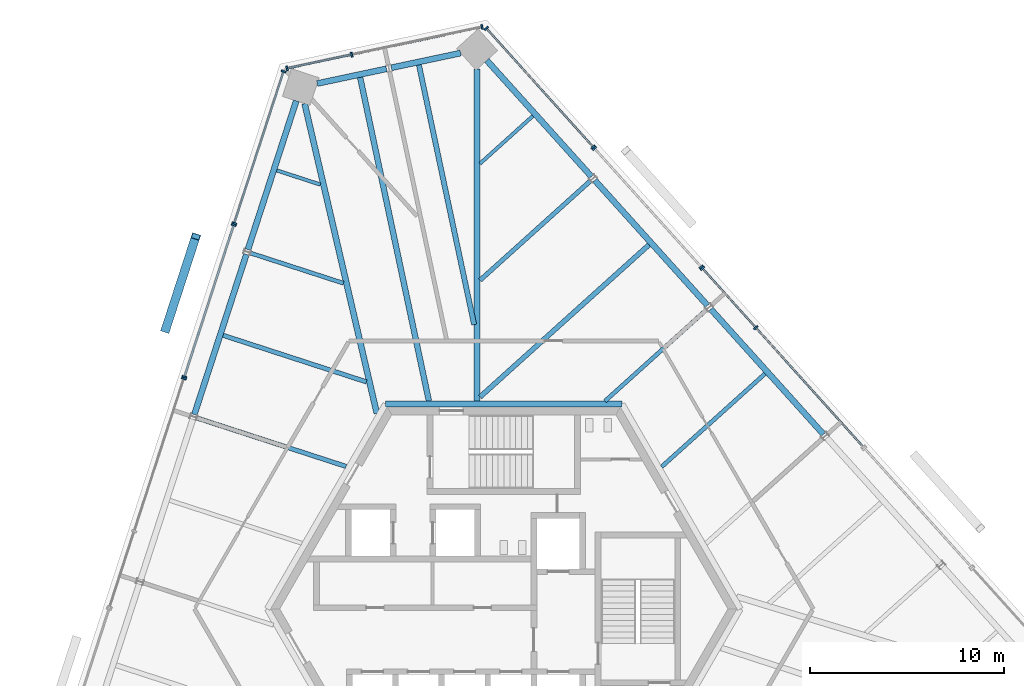
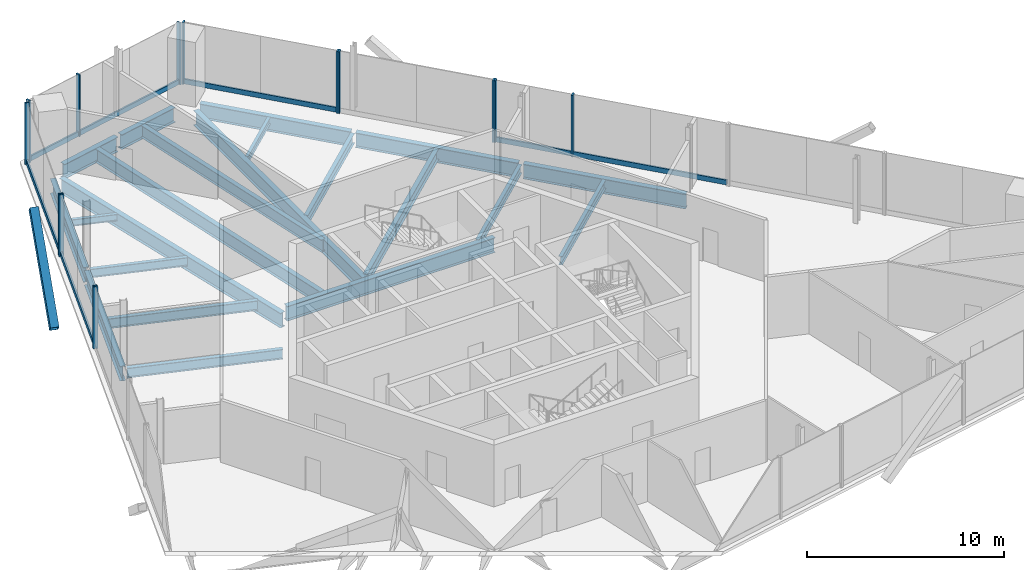
# One storey, part 7 of 14: 22 members, 21 beams, 7 elements without a shape of their own.
"""IFC4 building model written with IfcOpenShell, lengths in metres."""

from ifc_helpers import new_model, si_unit, direction, frame, origin, origin_2d, place, context, subcontext, project, spatial, rectangle, hollow_rectangle, i_section, extrude, source, transform, mapped, material, material_profile, profile_set, type_object, element, aggregate, save


model = new_model("IFC4")

# Units and contexts
model_context = context("Model", 3, precision=1e-05, world=origin(), true_north=direction((0.0, 1.0)))
body_context = subcontext(model_context, "Body", "Model", "MODEL_VIEW")
ifc_project = project(units=[si_unit("LENGTHUNIT", "METRE"), si_unit("AREAUNIT", "SQUARE_METRE"), si_unit("VOLUMEUNIT", "CUBIC_METRE"), si_unit("PLANEANGLEUNIT", "RADIAN"), si_unit("MASSUNIT", "GRAM", prefix="KILO")], contexts=[model_context])

# Site, building, storey
site_placement = place(None, origin())
site = spatial("IfcSite", under=ifc_project, at=site_placement, CompositionType="ELEMENT")
building_placement = place(site_placement, origin())
building = spatial("IfcBuilding", under=site, at=building_placement, Name="Triune Harvest Tower", CompositionType="ELEMENT")
storey_placement = place(building_placement, frame((0.0, 0.0, 284.699951171875)))
storey = spatial("IfcBuildingStorey", under=building, at=storey_placement, Name="L75", CompositionType="ELEMENT", Elevation=284.699951171875)

# Beams
ifc_material_1 = material(Name="Steel ASTM A992 Gr 50", Category="steel")
ifc_material_profile_1 = material_profile(ifc_material_1, i_section(OverallWidth=0.3046875, OverallDepth=0.914306640625, WebThickness=0.0166015625, FlangeThickness=0.02587890625, at=origin_2d()), Name="W36x160")
ifc_profile_set_1 = profile_set([ifc_material_profile_1], Name="Steel ASTM A992 Gr 50")
beam_type_1 = type_object("IfcBeamType", Name="CG-1 Core ring girder W36x160", PredefinedType="BEAM", material=ifc_profile_set_1)
shared_shape_1 = source(origin(), body_context, "Body", "SweptSolid", [
    extrude(i_section(OverallWidth=0.3046875, OverallDepth=0.914306640625, WebThickness=0.0166015625, FlangeThickness=0.02587890625, at=origin_2d()), origin(), (0.0, 0.0, 1.0), 12.17578125),
])
beam_1_placement = place(storey_placement, frame((6.087890625, 10.544677734375, -0.63720703125), z_axis=(-1.0, 0.0, 0.0), x_axis=(0.0, -1.0, 0.0)))
element("IfcBeam", 1, at=beam_1_placement, inside=storey, type_object=beam_type_1, Name="beam/L75/CG2", PredefinedType="BEAM", context=body_context, shape_type="MappedRepresentation", body=[
    mapped(shared_shape_1, transform((0.0, 0.0, 0.0), scale=1.0)),
])
ifc_material_2 = material(Name="Steel ASTM A992 Gr 50", Category="steel")
ifc_material_profile_2 = material_profile(ifc_material_2, i_section(OverallWidth=0.3046875, OverallDepth=0.914306640625, WebThickness=0.0166015625, FlangeThickness=0.02587890625, at=origin_2d()), Name="W36x160")
ifc_profile_set_2 = profile_set([ifc_material_profile_2], Name="Steel ASTM A992 Gr 50")
beam_type_2 = type_object("IfcBeamType", Name="SB-1 Spandrel beam W36x160", PredefinedType="SPANDREL", material=ifc_profile_set_2)
shared_shape_2 = source(origin(), body_context, "Body", "SweptSolid", [
    extrude(i_section(OverallWidth=0.3046875, OverallDepth=0.914306640625, WebThickness=0.0166015625, FlangeThickness=0.02587890625, at=origin_2d()), origin(), (0.0, 0.0, 1.0), 8.0498046875),
])
for number, where, z_axis, x_axis, name in (
    (2, (4.511474609375, 22.25537109375, -0.63720703125), (-0.669152382485, 0.743125217588, 0.0), (-0.743125217588, -0.669152382485, 0.0), "beam/L75/SB5"),
    (3, (-10.685791015625, 26.152099609375, -0.63720703125), (-0.30902160762, -0.951055017348, 0.0), (0.951055017348, -0.30902160762, 0.0), "beam/L75/SB8"),
):
    element("IfcBeam", number, at=place(storey_placement, frame(where, z_axis=z_axis, x_axis=x_axis)), inside=storey, type_object=beam_type_2, Name=name, PredefinedType="SPANDREL", context=body_context, shape_type="MappedRepresentation", body=[
        mapped(shared_shape_2, transform((0.0, 0.0, 0.0), scale=1.0)),
    ])
shared_shape_3 = source(origin(), body_context, "Body", "SweptSolid", [
    extrude(i_section(OverallWidth=0.3046875, OverallDepth=0.914306640625, WebThickness=0.0166015625, FlangeThickness=0.02587890625, at=origin_2d()), origin(), (0.0, 0.0, 1.0), 8.671630859375),
])
beam_2_placement = place(storey_placement, frame((16.45947265625, 8.985595703125, -0.63720703125), z_axis=(-0.669129593336, 0.743145737606, 0.0), x_axis=(-0.743145737606, -0.669129593336, 0.0)))
element("IfcBeam", 4, at=beam_2_placement, inside=storey, type_object=beam_type_2, Name="beam/L75/SB3", PredefinedType="SPANDREL", context=body_context, shape_type="MappedRepresentation", body=[
    mapped(shared_shape_3, transform((0.0, 0.0, 0.0), scale=1.0)),
])
shared_shape_4 = source(origin(), body_context, "Body", "SweptSolid", [
    extrude(i_section(OverallWidth=0.3046875, OverallDepth=0.914306640625, WebThickness=0.0166015625, FlangeThickness=0.02587890625, at=origin_2d()), origin(), (0.0, 0.0, 1.0), 8.67138671875),
])
for number, where, z_axis, x_axis, name in (
    (5, (10.4853515625, 15.62060546875, -0.63720703125), (-0.669128044683, 0.743147132013, 0.0), (-0.743147132013, -0.669128044683, 0.0), "beam/L75/SB4"),
    (6, (-13.252685546875, 18.25244140625, -0.63720703125), (-0.309022409974, -0.951054756643, 0.0), (0.951054756643, -0.309022409974, 0.0), "beam/L75/SB9"),
):
    element("IfcBeam", number, at=place(storey_placement, frame(where, z_axis=z_axis, x_axis=x_axis)), inside=storey, type_object=beam_type_2, Name=name, PredefinedType="SPANDREL", context=body_context, shape_type="MappedRepresentation", body=[
        mapped(shared_shape_4, transform((0.0, 0.0, 0.0), scale=1.0)),
    ])
shared_shape_5 = source(origin(), body_context, "Body", "SweptSolid", [
    extrude(i_section(OverallWidth=0.3046875, OverallDepth=0.914306640625, WebThickness=0.0166015625, FlangeThickness=0.02587890625, at=origin_2d()), origin(), (0.0, 0.0, 1.0), 3.645751953125),
])
beam_3_placement = place(storey_placement, frame((-2.223876953125, 28.61474609375, -0.63720703125), z_axis=(-0.978145063506, -0.207923627178, 0.0), x_axis=(0.207923627178, -0.978145063506, 0.0)))
element("IfcBeam", 7, at=beam_3_placement, inside=storey, type_object=beam_type_2, Name="beam/L75/SB6", PredefinedType="SPANDREL", context=body_context, shape_type="MappedRepresentation", body=[
    mapped(shared_shape_5, transform((0.0, 0.0, 0.0), scale=1.0)),
])
shared_shape_6 = source(origin(), body_context, "Body", "SweptSolid", [
    extrude(i_section(OverallWidth=0.3046875, OverallDepth=0.914306640625, WebThickness=0.0166015625, FlangeThickness=0.02587890625, at=origin_2d()), origin(), (0.0, 0.0, 1.0), 3.6455078125),
])
beam_4_placement = place(storey_placement, frame((-6.041015625, 27.803466796875, -0.63720703125), z_axis=(-0.978142168213, -0.207937247179, 0.0), x_axis=(0.207937247179, -0.978142168213, 0.0)))
element("IfcBeam", 8, at=beam_4_placement, inside=storey, type_object=beam_type_2, Name="beam/L75/SB7", PredefinedType="SPANDREL", context=body_context, shape_type="MappedRepresentation", body=[
    mapped(shared_shape_6, transform((0.0, 0.0, 0.0), scale=1.0)),
])
ifc_material_3 = material(Name="Steel ASTM A992 Gr 50", Category="steel")
ifc_material_profile_3 = material_profile(ifc_material_3, i_section(OverallWidth=0.3046875, OverallDepth=0.914306640625, WebThickness=0.0166015625, FlangeThickness=0.02587890625, at=origin_2d()), Name="W36x160")
ifc_profile_set_3 = profile_set([ifc_material_profile_3], Name="Steel ASTM A992 Gr 50")
beam_type_3 = type_object("IfcBeamType", Name="HG-3 Hip girder W36x160", PredefinedType="BEAM", material=ifc_profile_set_3)
shared_shape_7 = source(origin(), body_context, "Body", "SweptSolid", [
    extrude(i_section(OverallWidth=0.3046875, OverallDepth=0.914306640625, WebThickness=0.0166015625, FlangeThickness=0.02587890625, at=origin_2d()), origin(), (0.0, 0.0, 1.0), 17.088623046875),
])
beam_5_placement = place(storey_placement, frame((-1.376708984375, 27.78564453125, -0.63720703125), z_axis=(0.0, -1.0, 0.0), x_axis=(1.0, 0.0, 0.0)))
element("IfcBeam", 9, at=beam_5_placement, inside=storey, type_object=beam_type_3, Name="beam/L75/HG2", PredefinedType="BEAM", context=body_context, shape_type="MappedRepresentation", body=[
    mapped(shared_shape_7, transform((0.0, 0.0, 0.0), scale=1.0)),
])
shared_shape_8 = source(origin(), body_context, "Body", "SweptSolid", [
    extrude(i_section(OverallWidth=0.3046875, OverallDepth=0.914306640625, WebThickness=0.0166015625, FlangeThickness=0.02587890625, at=origin_2d()), origin(), (0.0, 0.0, 1.0), 16.37060546875),
])
beam_6_placement = place(storey_placement, frame((-10.255126953125, 26.01220703125, -0.63720703125), z_axis=(0.227026417792, -0.973888600213, 0.0), x_axis=(0.973888600213, 0.227026417792, 0.0)))
element("IfcBeam", 10, at=beam_6_placement, inside=storey, type_object=beam_type_3, Name="beam/L75/HG3", PredefinedType="BEAM", context=body_context, shape_type="MappedRepresentation", body=[
    mapped(shared_shape_8, transform((0.0, 0.0, 0.0), scale=1.0)),
])
ifc_material_4 = material(Name="Steel ASTM A992 Gr 50", Category="steel")
ifc_material_profile_4 = material_profile(ifc_material_4, i_section(OverallWidth=0.22900390625, OverallDepth=0.612060546875, WebThickness=0.011962890625, FlangeThickness=0.01953125, at=origin_2d()), Name="W24x84")
ifc_profile_set_4 = profile_set([ifc_material_profile_4], Name="Steel ASTM A992 Gr 50")
beam_type_4 = type_object("IfcBeamType", Name="JT-3 Floor joist W24x84", PredefinedType="JOIST", material=ifc_profile_set_4)
shared_shape_9 = source(origin(), body_context, "Body", "SweptSolid", [
    extrude(i_section(OverallWidth=0.22900390625, OverallDepth=0.612060546875, WebThickness=0.011962890625, FlangeThickness=0.01953125, at=origin_2d()), origin(), (0.0, 0.0, 1.0), 7.755126953125),
])
beam_7_placement = place(storey_placement, frame((-14.447509765625, 14.081787109375, -0.486083984375), z_axis=(0.951054888115, -0.309022005354, 0.0), x_axis=(0.309022005354, 0.951054888115, 0.0)))
element("IfcBeam", 11, at=beam_7_placement, inside=storey, type_object=beam_type_4, Name="beam/L75/JT14", PredefinedType="JOIST", context=body_context, shape_type="MappedRepresentation", body=[
    mapped(shared_shape_9, transform((0.0, 0.0, 0.0), scale=1.0)),
])
ifc_material_5 = material(Name="Steel ASTM A992 Gr 50", Category="steel")
ifc_material_profile_5 = material_profile(ifc_material_5, i_section(OverallWidth=0.2099609375, OverallDepth=0.535888671875, WebThickness=0.010986328125, FlangeThickness=0.017333984375, at=origin_2d()), Name="W21x68")
ifc_profile_set_5 = profile_set([ifc_material_profile_5], Name="Steel ASTM A992 Gr 50")
beam_type_5 = type_object("IfcBeamType", Name="JT-2 Floor joist W21x68", PredefinedType="JOIST", material=ifc_profile_set_5)
shared_shape_10 = source(origin(), body_context, "Body", "SweptSolid", [
    extrude(i_section(OverallWidth=0.2099609375, OverallDepth=0.535888671875, WebThickness=0.010986328125, FlangeThickness=0.017333984375, at=origin_2d()), origin(), (0.0, 0.0, 1.0), 7.155517578125),
])
beam_8_placement = place(storey_placement, frame((13.44482421875, 12.105712890625, -0.447998046875), z_axis=(-0.743139743978, -0.669136249892, 0.0), x_axis=(0.669136249892, -0.743139743978, 0.0)))
element("IfcBeam", 12, at=beam_8_placement, inside=storey, type_object=beam_type_5, Name="beam/L75/JT5", PredefinedType="JOIST", context=body_context, shape_type="MappedRepresentation", body=[
    mapped(shared_shape_10, transform((0.0, 0.0, 0.0), scale=1.0)),
])
shared_shape_11 = source(origin(), body_context, "Body", "SweptSolid", [
    extrude(i_section(OverallWidth=0.2099609375, OverallDepth=0.535888671875, WebThickness=0.010986328125, FlangeThickness=0.017333984375, at=origin_2d()), origin(), (0.0, 0.0, 1.0), 7.035400390625),
])
beam_9_placement = place(storey_placement, frame((10.437255859375, 15.404541015625, -0.447998046875), z_axis=(-0.743147458893, -0.669127681643, 0.0), x_axis=(0.669127681643, -0.743147458893, 0.0)))
element("IfcBeam", 13, at=beam_9_placement, inside=storey, type_object=beam_type_5, Name="beam/L75/JT6", PredefinedType="JOIST", context=body_context, shape_type="MappedRepresentation", body=[
    mapped(shared_shape_11, transform((0.0, 0.0, 0.0), scale=1.0)),
])
ifc_material_6 = material(Name="Steel ASTM A992 Gr 50", Category="steel")
ifc_material_profile_6 = material_profile(ifc_material_6, i_section(OverallWidth=0.253662109375, OverallDepth=0.683349609375, WebThickness=0.012451171875, FlangeThickness=0.01904296875, at=origin_2d()), Name="W27x94")
ifc_profile_set_6 = profile_set([ifc_material_profile_6], Name="Steel ASTM A992 Gr 50")
beam_type_6 = type_object("IfcBeamType", Name="JT-4 Floor joist W27x94", PredefinedType="JOIST", material=ifc_profile_set_6)
shared_shape_12 = source(origin(), body_context, "Body", "SweptSolid", [
    extrude(i_section(OverallWidth=0.253662109375, OverallDepth=0.683349609375, WebThickness=0.012451171875, FlangeThickness=0.01904296875, at=origin_2d()), origin(), (0.0, 0.0, 1.0), 11.70068359375),
])
beam_10_placement = place(storey_placement, frame((7.470947265625, 18.740478515625, -0.521484375), z_axis=(-0.743153026809, -0.669121497745, 0.0), x_axis=(0.669121497745, -0.743153026809, 0.0)))
element("IfcBeam", 14, at=beam_10_placement, inside=storey, type_object=beam_type_6, Name="beam/L75/JT7", PredefinedType="JOIST", context=body_context, shape_type="MappedRepresentation", body=[
    mapped(shared_shape_12, transform((0.0, 0.0, 0.0), scale=1.0)),
])
shared_shape_13 = source(origin(), body_context, "Body", "SweptSolid", [
    extrude(i_section(OverallWidth=0.22900390625, OverallDepth=0.612060546875, WebThickness=0.011962890625, FlangeThickness=0.01953125, at=origin_2d()), origin(), (0.0, 0.0, 1.0), 7.6533203125),
])
beam_11_placement = place(storey_placement, frame((4.463134765625, 22.039306640625, -0.486083984375), z_axis=(-0.74314185307, -0.669133907537, 0.0), x_axis=(0.669133907537, -0.74314185307, 0.0)))
element("IfcBeam", 15, at=beam_11_placement, inside=storey, type_object=beam_type_4, Name="beam/L75/JT8", PredefinedType="JOIST", context=body_context, shape_type="MappedRepresentation", body=[
    mapped(shared_shape_13, transform((0.0, 0.0, 0.0), scale=1.0)),
])
ifc_material_7 = material(Name="Steel ASTM A992 Gr 50", Category="steel")
ifc_material_profile_7 = material_profile(ifc_material_7, i_section(OverallWidth=0.180908203125, OverallDepth=0.41650390625, WebThickness=0.010986328125, FlangeThickness=0.01806640625, at=origin_2d()), Name="W16x57")
ifc_profile_set_7 = profile_set([ifc_material_profile_7], Name="Steel ASTM A992 Gr 50")
beam_type_7 = type_object("IfcBeamType", Name="JT-1 Floor joist W16x57", PredefinedType="JOIST", material=ifc_profile_set_7)
shared_shape_14 = source(origin(), body_context, "Body", "SweptSolid", [
    extrude(i_section(OverallWidth=0.180908203125, OverallDepth=0.41650390625, WebThickness=0.010986328125, FlangeThickness=0.01806640625, at=origin_2d()), origin(), (0.0, 0.0, 1.0), 3.661865234375),
])
beam_12_placement = place(storey_placement, frame((1.496826171875, 25.37548828125, -0.38818359375), z_axis=(-0.743108471823, -0.669170978977, 0.0), x_axis=(0.669170978977, -0.743108471823, 0.0)))
element("IfcBeam", 16, at=beam_12_placement, inside=storey, type_object=beam_type_7, Name="beam/L75/JT9", PredefinedType="JOIST", context=body_context, shape_type="MappedRepresentation", body=[
    mapped(shared_shape_14, transform((0.0, 0.0, 0.0), scale=1.0)),
])
ifc_material_8 = material(Name="Steel ASTM A992 Gr 50", Category="steel")
ifc_material_profile_8 = material_profile(ifc_material_8, i_section(OverallWidth=0.2666015625, OverallDepth=0.7568359375, WebThickness=0.013916015625, FlangeThickness=0.019287109375, at=origin_2d()), Name="W30x108")
ifc_profile_set_8 = profile_set([ifc_material_profile_8], Name="Steel ASTM A992 Gr 50")
beam_type_8 = type_object("IfcBeamType", Name="JT-5 Floor joist W30x108", PredefinedType="JOIST", material=ifc_profile_set_8)
shared_shape_15 = source(origin(), body_context, "Body", "SweptSolid", [
    extrude(i_section(OverallWidth=0.2666015625, OverallDepth=0.7568359375, WebThickness=0.013916015625, FlangeThickness=0.019287109375, at=origin_2d()), origin(), (0.0, 0.0, 1.0), 13.66796875),
])
beam_13_placement = place(storey_placement, frame((-4.370849609375, 28.002685546875, -0.558349609375), z_axis=(0.207897850023, -0.978150542583, 0.0), x_axis=(0.978150542583, 0.207897850023, 0.0)))
element("IfcBeam", 17, at=beam_13_placement, inside=storey, type_object=beam_type_8, Name="beam/L75/JT10", PredefinedType="JOIST", context=body_context, shape_type="MappedRepresentation", body=[
    mapped(shared_shape_15, transform((0.0, 0.0, 0.0), scale=1.0)),
])
ifc_material_9 = material(Name="Steel ASTM A992 Gr 50", Category="steel")
ifc_material_profile_9 = material_profile(ifc_material_9, i_section(OverallWidth=0.2919921875, OverallDepth=0.8408203125, WebThickness=0.0146484375, FlangeThickness=0.021728515625, at=origin_2d()), Name="W33x130")
ifc_profile_set_9 = profile_set([ifc_material_profile_9], Name="Steel ASTM A992 Gr 50")
beam_type_9 = type_object("IfcBeamType", Name="JT-6 Floor joist W33x130", PredefinedType="JOIST", material=ifc_profile_set_9)
shared_shape_16 = source(origin(), body_context, "Body", "SweptSolid", [
    extrude(i_section(OverallWidth=0.2919921875, OverallDepth=0.8408203125, WebThickness=0.0146484375, FlangeThickness=0.021728515625, at=origin_2d()), origin(), (0.0, 0.0, 1.0), 17.034912109375),
])
beam_14_placement = place(storey_placement, frame((-7.396728515625, 27.359619140625, -0.600341796875), z_axis=(0.207911891923, -0.978147557988, 0.0), x_axis=(0.978147557988, 0.207911891923, 0.0)))
element("IfcBeam", 18, at=beam_14_placement, inside=storey, type_object=beam_type_9, Name="beam/L75/JT11", PredefinedType="JOIST", context=body_context, shape_type="MappedRepresentation", body=[
    mapped(shared_shape_16, transform((0.0, 0.0, 0.0), scale=1.0)),
])
shared_shape_17 = source(origin(), body_context, "Body", "SweptSolid", [
    extrude(i_section(OverallWidth=0.180908203125, OverallDepth=0.41650390625, WebThickness=0.010986328125, FlangeThickness=0.01806640625, at=origin_2d()), origin(), (0.0, 0.0, 1.0), 2.36474609375),
])
beam_15_placement = place(storey_placement, frame((-11.688720703125, 22.57275390625, -0.38818359375), z_axis=(0.951061378221, -0.309002030505, 0.0), x_axis=(0.309002030505, 0.951061378221, 0.0)))
element("IfcBeam", 19, at=beam_15_placement, inside=storey, type_object=beam_type_7, Name="beam/L75/JT12", PredefinedType="JOIST", context=body_context, shape_type="MappedRepresentation", body=[
    mapped(shared_shape_17, transform((0.0, 0.0, 0.0), scale=1.0)),
])
shared_shape_18 = source(origin(), body_context, "Body", "SweptSolid", [
    extrude(i_section(OverallWidth=0.2099609375, OverallDepth=0.535888671875, WebThickness=0.010986328125, FlangeThickness=0.017333984375, at=origin_2d()), origin(), (0.0, 0.0, 1.0), 5.0322265625),
])
beam_16_placement = place(storey_placement, frame((-13.04150390625, 18.318603515625, -0.447998046875), z_axis=(0.951062231031, -0.308999405674, 0.0), x_axis=(0.308999405674, 0.951062231031, 0.0)))
element("IfcBeam", 20, at=beam_16_placement, inside=storey, type_object=beam_type_5, Name="beam/L75/JT13", PredefinedType="JOIST", context=body_context, shape_type="MappedRepresentation", body=[
    mapped(shared_shape_18, transform((0.0, 0.0, 0.0), scale=1.0)),
])
shared_shape_19 = source(origin(), body_context, "Body", "SweptSolid", [
    extrude(i_section(OverallWidth=0.22900390625, OverallDepth=0.612060546875, WebThickness=0.011962890625, FlangeThickness=0.01953125, at=origin_2d()), origin(), (0.0, 0.0, 1.0), 8.07666015625),
])
beam_17_placement = place(storey_placement, frame((-15.80029296875, 9.82763671875, -0.486083984375), z_axis=(0.951056057917, -0.309018405114, 0.0), x_axis=(0.309018405114, 0.951056057917, 0.0)))
element("IfcBeam", 21, at=beam_17_placement, inside=storey, type_object=beam_type_4, Name="beam/L75/JT15", PredefinedType="JOIST", context=body_context, shape_type="MappedRepresentation", body=[
    mapped(shared_shape_19, transform((0.0, 0.0, 0.0), scale=1.0)),
])

# Member
ifc_material_10 = material(Name="Steel ASTM A572 Gr 50", Category="steel")
ifc_material_profile_10 = material_profile(ifc_material_10, hollow_rectangle(XDim=0.449951171875, YDim=0.449951171875, WallThickness=0.02490234375, at=origin_2d()), Name="Box 450x450x25")
ifc_profile_set_10 = profile_set([ifc_material_profile_10], Name="Steel ASTM A572 Gr 50")
member_type_1 = type_object("IfcMemberType", Name="BR-4 Brace Box 450x450x25", PredefinedType="BRACE", material=ifc_profile_set_10)
shared_shape_20 = source(origin(), body_context, "Body", "SweptSolid", [
    extrude(hollow_rectangle(XDim=0.449951171875, YDim=0.449951171875, WallThickness=0.02490234375, at=origin_2d()), origin(), (0.0, 0.0, 1.0), 6.4326171875),
])
member_1_placement = place(storey_placement, frame((-17.41357421875, 14.380126953125, 0.0), z_axis=(0.242032221003, 0.744807951226, 0.621837213253), x_axis=(-0.951045464788, 0.309051005348, 0.0)))
element("IfcMember", 22, at=member_1_placement, inside=storey, type_object=member_type_1, Name="brace/B7-F3/d2/8", PredefinedType="BRACE", context=body_context, shape_type="MappedRepresentation", body=[
    mapped(shared_shape_20, transform((0.0, 0.0, 0.0), scale=1.0)),
])

# Curtain wall, members
ifc_material_11 = material(Name="Aluminium bronze anodised", Category="aluminium")
curtain_wall_type_1 = type_object("IfcCurtainWallType", Name="CW-4 Sky lobby tall glazing wall", PredefinedType="NOTDEFINED", material=ifc_material_11)
curtain_wall_1_placement = place(storey_placement, origin())
curtain_wall_1 = element("IfcCurtainWall", 23, at=curtain_wall_1_placement, inside=storey, type_object=curtain_wall_type_1, Name="CW-4 B7-F1 L75 run 2001")
ifc_material_12 = material(Name="Aluminium bronze anodised", Category="aluminium")
ifc_material_profile_11 = material_profile(ifc_material_12, rectangle(XDim=0.25, YDim=0.090087890625, at=origin_2d()), Name="MU-4 mullion 90 x 250")
ifc_profile_set_11 = profile_set([ifc_material_profile_11], Name="Aluminium bronze anodised")
member_type_2 = type_object("IfcMemberType", Name="MU-4 mullion 90 x 250", PredefinedType="MULLION", material=ifc_profile_set_11)
shared_shape_21 = source(origin(), body_context, "Body", "SweptSolid", [
    extrude(rectangle(XDim=0.25, YDim=0.090087890625, at=origin_2d()), origin(), (0.0, 0.0, 1.0), 3.820068359375),
])
member_2_placement = place(storey_placement, frame((12.974609375, 14.478515625, 0.0), z_axis=(0.0, 0.0, 1.0), x_axis=(-0.743150150549, -0.66912469222, 0.0)))
member_2 = element("IfcMember", 24, at=member_2_placement, type_object=member_type_2, Name="CW-4 mullion B7-F1 2001.3", PredefinedType="MULLION", context=body_context, shape_type="MappedRepresentation", body=[
    mapped(shared_shape_21, transform((0.0, 0.0, 0.0), scale=1.0)),
])
member_3_placement = place(storey_placement, frame((10.22412109375, 17.533447265625, 0.0), z_axis=(0.0, 0.0, 1.0), x_axis=(-0.743150150549, -0.66912469222, 0.0)))
member_3 = element("IfcMember", 25, at=member_3_placement, type_object=member_type_2, Name="CW-4 mullion B7-F1 2001.4", PredefinedType="MULLION", context=body_context, shape_type="MappedRepresentation", body=[
    mapped(shared_shape_21, transform((0.0, 0.0, 0.0), scale=1.0)),
])

ifc_material_13 = material(Name="Aluminium bronze anodised", Category="aluminium")
curtain_wall_type_2 = type_object("IfcCurtainWallType", Name="CW-9 Sky lobby tall glazing wall with insulated spandrel infill", PredefinedType="NOTDEFINED", material=ifc_material_13)
curtain_wall_2_placement = place(storey_placement, origin())
curtain_wall_2 = element("IfcCurtainWall", 26, at=curtain_wall_2_placement, inside=storey, type_object=curtain_wall_type_2, Name="CW-9 B7-F1 L75 run 3001")
member_4_placement = place(storey_placement, frame((10.163818359375, 17.600341796875, 0.0), z_axis=(0.0, 0.0, 1.0), x_axis=(-0.743134990917, -0.669141528583, 0.0)))
member_4 = element("IfcMember", 27, at=member_4_placement, type_object=member_type_2, Name="CW-9 mullion B7-F1 3001.1", PredefinedType="MULLION", context=body_context, shape_type="MappedRepresentation", body=[
    mapped(shared_shape_21, transform((0.0, 0.0, 0.0), scale=1.0)),
])
member_5_placement = place(storey_placement, frame((4.662353515625, 23.7099609375, 0.0), z_axis=(0.0, 0.0, 1.0), x_axis=(-0.743134990917, -0.669141528583, 0.0)))
member_5 = element("IfcMember", 28, at=member_5_placement, type_object=member_type_2, Name="CW-9 mullion B7-F1 3001.3", PredefinedType="MULLION", context=body_context, shape_type="MappedRepresentation", body=[
    mapped(shared_shape_21, transform((0.0, 0.0, 0.0), scale=1.0)),
])
aggregate(curtain_wall_2, [member_4, member_5])

curtain_wall_3_placement = place(storey_placement, origin())
curtain_wall_3 = element("IfcCurtainWall", 29, at=curtain_wall_3_placement, inside=storey, type_object=curtain_wall_type_1, Name="CW-4 B7-F1 L75 run 4001")
member_6_placement = place(storey_placement, frame((4.602294921875, 23.77685546875, 0.0), z_axis=(0.0, 0.0, 1.0), x_axis=(-0.743148584318, -0.66912643172, 0.0)))
member_6 = element("IfcMember", 30, at=member_6_placement, type_object=member_type_2, Name="CW-4 mullion B7-F1 4001.1", PredefinedType="MULLION", context=body_context, shape_type="MappedRepresentation", body=[
    mapped(shared_shape_21, transform((0.0, 0.0, 0.0), scale=1.0)),
])
member_7_placement = place(storey_placement, frame((-0.899169921875, 29.88671875, 0.0), z_axis=(0.0, 0.0, 1.0), x_axis=(-0.743148584318, -0.66912643172, 0.0)))
member_7 = element("IfcMember", 31, at=member_7_placement, type_object=member_type_2, Name="CW-4 mullion B7-F1 4001.3", PredefinedType="MULLION", context=body_context, shape_type="MappedRepresentation", body=[
    mapped(shared_shape_21, transform((0.0, 0.0, 0.0), scale=1.0)),
])

curtain_wall_4_placement = place(storey_placement, origin())
curtain_wall_4 = element("IfcCurtainWall", 32, at=curtain_wall_4_placement, inside=storey, type_object=curtain_wall_type_1, Name="CW-4 B7-F2 L75 run 1")
member_8_placement = place(storey_placement, frame((-1.121337890625, 29.958984375, 0.0), z_axis=(0.0, 0.0, 1.0), x_axis=(0.207904739307, -0.978149078297, 0.0)))
member_8 = element("IfcMember", 33, at=member_8_placement, type_object=member_type_2, Name="CW-4 mullion B7-F2 1.1", PredefinedType="MULLION", context=body_context, shape_type="MappedRepresentation", body=[
    mapped(shared_shape_21, transform((0.0, 0.0, 0.0), scale=1.0)),
])
member_9_placement = place(storey_placement, frame((-7.8291015625, 28.533203125, 0.0), z_axis=(0.0, 0.0, 1.0), x_axis=(0.207904739307, -0.978149078297, 0.0)))
member_9 = element("IfcMember", 34, at=member_9_placement, type_object=member_type_2, Name="CW-4 mullion B7-F2 1.3", PredefinedType="MULLION", context=body_context, shape_type="MappedRepresentation", body=[
    mapped(shared_shape_21, transform((0.0, 0.0, 0.0), scale=1.0)),
])
member_10_placement = place(storey_placement, frame((-11.160888671875, 27.824951171875, 0.0), z_axis=(0.0, 0.0, 1.0), x_axis=(0.207904739307, -0.978149078297, 0.0)))
member_10 = element("IfcMember", 35, at=member_10_placement, type_object=member_type_2, Name="CW-4 mullion B7-F2 1.4", PredefinedType="MULLION", context=body_context, shape_type="MappedRepresentation", body=[
    mapped(shared_shape_21, transform((0.0, 0.0, 0.0), scale=1.0)),
])

curtain_wall_5_placement = place(storey_placement, origin())
curtain_wall_5 = element("IfcCurtainWall", 36, at=curtain_wall_5_placement, inside=storey, type_object=curtain_wall_type_1, Name="CW-4 B7-F3 L75 run 1")
member_11_placement = place(storey_placement, frame((-11.334716796875, 27.668701171875, 0.0), z_axis=(0.0, 0.0, 1.0), x_axis=(0.95105786974, -0.309012828869, 0.0)))
member_11 = element("IfcMember", 37, at=member_11_placement, type_object=member_type_2, Name="CW-4 mullion B7-F3 1.1", PredefinedType="MULLION", context=body_context, shape_type="MappedRepresentation", body=[
    mapped(shared_shape_21, transform((0.0, 0.0, 0.0), scale=1.0)),
])
member_12_placement = place(storey_placement, frame((-13.875244140625, 19.849365234375, 0.0), z_axis=(0.0, 0.0, 1.0), x_axis=(0.95105786974, -0.309012828869, 0.0)))
member_12 = element("IfcMember", 38, at=member_12_placement, type_object=member_type_2, Name="CW-4 mullion B7-F3 1.3", PredefinedType="MULLION", context=body_context, shape_type="MappedRepresentation", body=[
    mapped(shared_shape_21, transform((0.0, 0.0, 0.0), scale=1.0)),
])

curtain_wall_6_placement = place(storey_placement, origin())
curtain_wall_6 = element("IfcCurtainWall", 39, at=curtain_wall_6_placement, inside=storey, type_object=curtain_wall_type_2, Name="CW-9 B7-F3 L75 run 1001")
member_13_placement = place(storey_placement, frame((-13.903076171875, 19.763916015625, 0.0), z_axis=(0.0, 0.0, 1.0), x_axis=(0.951057407868, -0.309014250382, 0.0)))
member_13 = element("IfcMember", 40, at=member_13_placement, type_object=member_type_2, Name="CW-9 mullion B7-F3 1001.1", PredefinedType="MULLION", context=body_context, shape_type="MappedRepresentation", body=[
    mapped(shared_shape_21, transform((0.0, 0.0, 0.0), scale=1.0)),
])
member_14_placement = place(storey_placement, frame((-16.443603515625, 11.944580078125, 0.0), z_axis=(0.0, 0.0, 1.0), x_axis=(0.951057407868, -0.309014250382, 0.0)))
member_14 = element("IfcMember", 41, at=member_14_placement, type_object=member_type_2, Name="CW-9 mullion B7-F3 1001.3", PredefinedType="MULLION", context=body_context, shape_type="MappedRepresentation", body=[
    mapped(shared_shape_21, transform((0.0, 0.0, 0.0), scale=1.0)),
])

# Curtain wall, member
curtain_wall_7_placement = place(storey_placement, origin())
curtain_wall_7 = element("IfcCurtainWall", 42, at=curtain_wall_7_placement, inside=storey, type_object=curtain_wall_type_1, Name="CW-4 B7-F3 L75 run 2001")
member_15_placement = place(storey_placement, frame((-16.471435546875, 11.85888671875, 0.0), z_axis=(0.0, 0.0, 1.0), x_axis=(0.951054284615, -0.309023862696, 0.0)))
member_15 = element("IfcMember", 43, at=member_15_placement, type_object=member_type_2, Name="CW-4 mullion B7-F3 2001.1", PredefinedType="MULLION", context=body_context, shape_type="MappedRepresentation", body=[
    mapped(shared_shape_21, transform((0.0, 0.0, 0.0), scale=1.0)),
])
aggregate(curtain_wall_7, [member_15])

# Member
ifc_material_14 = material(Name="Aluminium bronze anodised", Category="aluminium")
ifc_material_profile_12 = material_profile(ifc_material_14, rectangle(XDim=0.10009765625, YDim=0.300048828125, at=origin_2d()), Name="TR-4 transom 100 x 300")
ifc_profile_set_12 = profile_set([ifc_material_profile_12], Name="Aluminium bronze anodised")
member_type_3 = type_object("IfcMemberType", Name="TR-4 transom 100 x 300", PredefinedType="USERDEFINED", material=ifc_profile_set_12)
shared_shape_22 = source(origin(), body_context, "Body", "SweptSolid", [
    extrude(rectangle(XDim=0.10009765625, YDim=0.300048828125, at=origin_2d()), origin(), (0.0, 0.0, 1.0), 8.131591796875),
])
member_16_placement = place(storey_placement, frame((4.572021484375, 23.810302734375, 0.150146484375), z_axis=(-0.669117326261, 0.743156782716, 0.0), x_axis=(-0.743156782716, -0.669117326261, 0.0)))
member_16 = element("IfcMember", 44, at=member_16_placement, type_object=member_type_3, Name="CW-4 transom B7-F1 4001.1", ObjectType="TRANSOM", PredefinedType="USERDEFINED", context=body_context, shape_type="MappedRepresentation", body=[
    mapped(shared_shape_22, transform((0.0, 0.0, 0.0), scale=1.0)),
])

aggregate(curtain_wall_3, [member_6, member_7, member_16])

member_17_placement = place(storey_placement, frame((-11.3486328125, 27.625732421875, 0.150146484375), z_axis=(-0.309003926068, -0.951060762346, 0.0), x_axis=(0.951060762346, -0.309003926068, 0.0)))
member_17 = element("IfcMember", 45, at=member_17_placement, type_object=member_type_3, Name="CW-4 transom B7-F3 1.1", ObjectType="TRANSOM", PredefinedType="USERDEFINED", context=body_context, shape_type="MappedRepresentation", body=[
    mapped(shared_shape_22, transform((0.0, 0.0, 0.0), scale=1.0)),
])

aggregate(curtain_wall_5, [member_11, member_12, member_17])

member_18_placement = place(storey_placement, frame((-13.9169921875, 19.720947265625, 0.150146484375), z_axis=(-0.309003926068, -0.951060762346, 0.0), x_axis=(0.951060762346, -0.309003926068, 0.0)))
member_18 = element("IfcMember", 46, at=member_18_placement, type_object=member_type_3, Name="CW-9 transom B7-F3 1001.1", ObjectType="TRANSOM", PredefinedType="USERDEFINED", context=body_context, shape_type="MappedRepresentation", body=[
    mapped(shared_shape_22, transform((0.0, 0.0, 0.0), scale=1.0)),
])

aggregate(curtain_wall_6, [member_13, member_14, member_18])

shared_shape_23 = source(origin(), body_context, "Body", "SweptSolid", [
    extrude(rectangle(XDim=0.10009765625, YDim=0.300048828125, at=origin_2d()), origin(), (0.0, 0.0, 1.0), 8.176513671875),
])
member_19_placement = place(storey_placement, frame((18.475830078125, 8.36865234375, 0.150146484375), z_axis=(-0.66912802969, 0.743147145513, 0.0), x_axis=(-0.743147145513, -0.66912802969, 0.0)))
member_19 = element("IfcMember", 47, at=member_19_placement, type_object=member_type_3, Name="CW-4 transom B7-F1 2001.1", ObjectType="TRANSOM", PredefinedType="USERDEFINED", context=body_context, shape_type="MappedRepresentation", body=[
    mapped(shared_shape_23, transform((0.0, 0.0, 0.0), scale=1.0)),
])

shared_shape_24 = source(origin(), body_context, "Body", "SweptSolid", [
    extrude(rectangle(XDim=0.10009765625, YDim=0.300048828125, at=origin_2d()), origin(), (0.0, 0.0, 1.0), 4.020751953125),
])
member_20_placement = place(storey_placement, frame((12.944580078125, 14.511962890625, 0.150146484375), z_axis=(-0.669129094071, 0.743146187145, 0.0), x_axis=(-0.743146187145, -0.669129094071, 0.0)))
member_20 = element("IfcMember", 48, at=member_20_placement, type_object=member_type_3, Name="CW-4 transom B7-F1 2001.2", ObjectType="TRANSOM", PredefinedType="USERDEFINED", context=body_context, shape_type="MappedRepresentation", body=[
    mapped(shared_shape_24, transform((0.0, 0.0, 0.0), scale=1.0)),
])

aggregate(curtain_wall_1, [member_2, member_3, member_19, member_20])

shared_shape_25 = source(origin(), body_context, "Body", "SweptSolid", [
    extrude(rectangle(XDim=0.10009765625, YDim=0.300048828125, at=origin_2d()), origin(), (0.0, 0.0, 1.0), 6.767578125),
])
member_21_placement = place(storey_placement, frame((-1.16552734375, 29.949462890625, 0.150146484375), z_axis=(-0.978149498035, -0.207902764519, 0.0), x_axis=(0.207902764519, -0.978149498035, 0.0)))
member_21 = element("IfcMember", 49, at=member_21_placement, type_object=member_type_3, Name="CW-4 transom B7-F2 1.1", ObjectType="TRANSOM", PredefinedType="USERDEFINED", context=body_context, shape_type="MappedRepresentation", body=[
    mapped(shared_shape_25, transform((0.0, 0.0, 0.0), scale=1.0)),
])

shared_shape_26 = source(origin(), body_context, "Body", "SweptSolid", [
    extrude(rectangle(XDim=0.10009765625, YDim=0.300048828125, at=origin_2d()), origin(), (0.0, 0.0, 1.0), 3.31640625),
])
member_22_placement = place(storey_placement, frame((-7.873046875, 28.52392578125, 0.150146484375), z_axis=(-0.978151179276, -0.20789485439, 0.0), x_axis=(0.20789485439, -0.978151179276, 0.0)))
member_22 = element("IfcMember", 50, at=member_22_placement, type_object=member_type_3, Name="CW-4 transom B7-F2 1.2", ObjectType="TRANSOM", PredefinedType="USERDEFINED", context=body_context, shape_type="MappedRepresentation", body=[
    mapped(shared_shape_26, transform((0.0, 0.0, 0.0), scale=1.0)),
])

aggregate(curtain_wall_4, [member_8, member_9, member_10, member_21, member_22])

save(model, "model.ifc")
